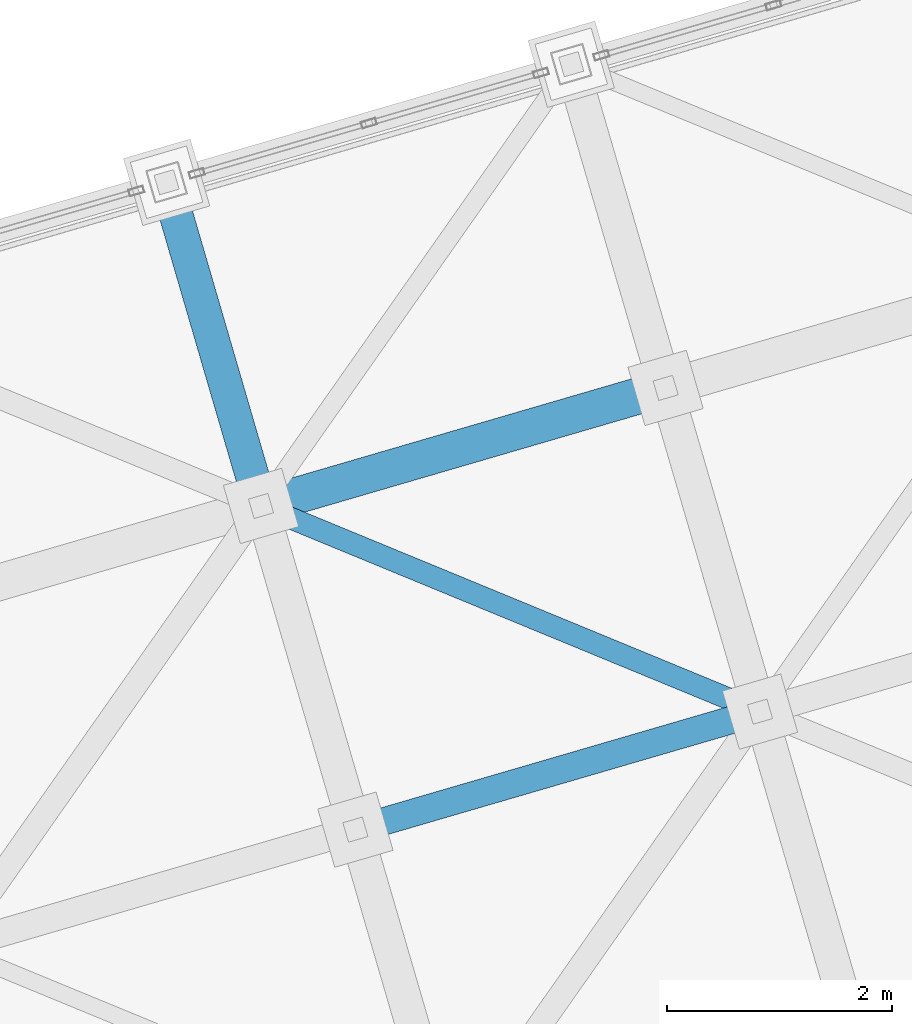
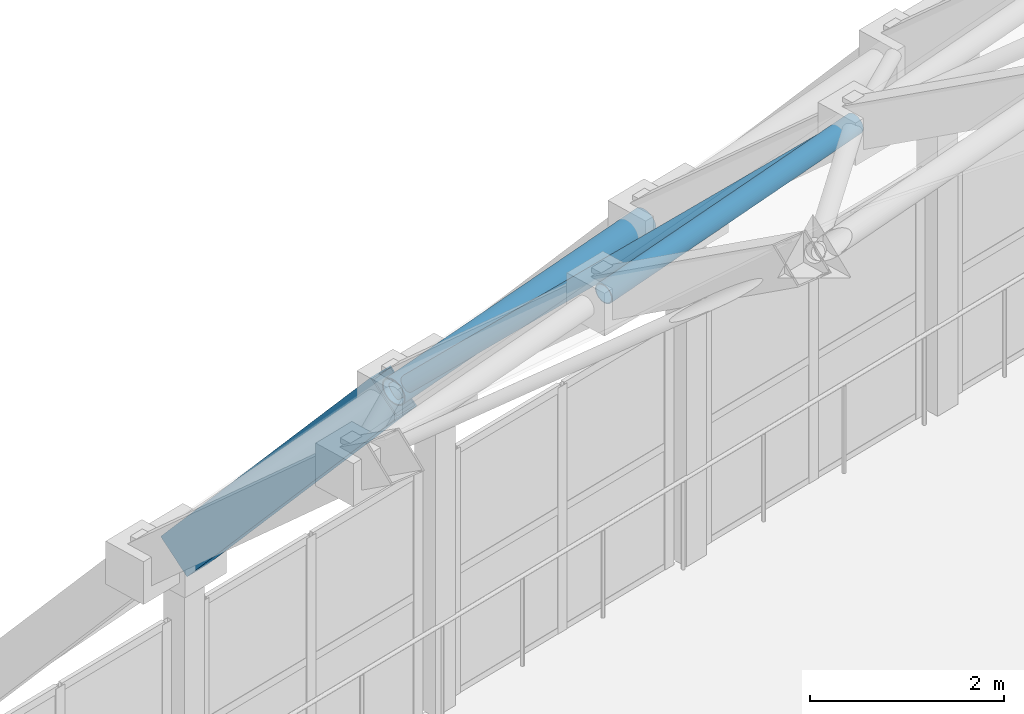
# One storey, part 52 of 248: 3 members, 1 beam.
"""IFC4 building model written with IfcOpenShell, lengths in metres."""

from ifc_helpers import new_model, si_unit, direction, frame, origin, origin_2d, place, context, subcontext, project, spatial, hollow_rectangle, hollow_circle, extrude, material, material_profile, profile_set, type_object, element, save


model = new_model("IFC4")

# Units and contexts
model_context = context("Model", 3, precision=1e-05, world=origin(), true_north=direction((0.0, 1.0)))
body_context = subcontext(model_context, "Body", "Model", "MODEL_VIEW")
ifc_project = project(units=[si_unit("LENGTHUNIT", "METRE"), si_unit("AREAUNIT", "SQUARE_METRE"), si_unit("VOLUMEUNIT", "CUBIC_METRE"), si_unit("PLANEANGLEUNIT", "RADIAN"), si_unit("MASSUNIT", "GRAM", prefix="KILO")], contexts=[model_context])

# Site, building, storey
site_placement = place(None, origin())
site = spatial("IfcSite", under=ifc_project, at=site_placement, CompositionType="ELEMENT")
building_placement = place(site_placement, origin())
building = spatial("IfcBuilding", under=site, at=building_placement, Name="Canggui Botanical Conservatory", CompositionType="ELEMENT")
storey_placement = place(building_placement, frame((0.0, 0.0, 5.39990234375)))
storey = spatial("IfcBuildingStorey", under=building, at=storey_placement, Name="L02", CompositionType="ELEMENT", Elevation=5.39990234375)

# Beam
ifc_material = material(Name="Steel Q355C", Category="steel")
ifc_material_profile_1 = material_profile(ifc_material, hollow_rectangle(XDim=0.300048828125, YDim=0.5, WallThickness=0.01611328125, at=origin_2d()), Name="RHS 300x500x16")
ifc_profile_set_1 = profile_set([ifc_material_profile_1], Name="Steel Q355C")
beam_type = type_object("IfcBeamType", Name="BM-GJ01", PredefinedType="BEAM", material=ifc_profile_set_1)
beam_placement = place(storey_placement, frame((16.0400390625, 68.969970703125, 7.30615234375), z_axis=(-0.183561899057, 0.629316978545, -0.755159036051), x_axis=(-0.959995442804, -0.2800156242, 0.0)))
element("IfcBeam", 1, at=beam_placement, inside=storey, type_object=beam_type, Name="Conservatory Stepped-Arch Rib GJ-02 Segment 10", PredefinedType="BEAM", context=body_context, shape_type="SweptSolid", body=[
    extrude(hollow_rectangle(XDim=0.300048828125, YDim=0.5, WallThickness=0.01611328125, at=origin_2d()), origin(), (0.0, 0.0, 1.0), 4.57666015625),
])

# Members
ifc_material_profile_2 = material_profile(ifc_material, hollow_circle(Radius=0.16259765625, WallThickness=0.011962890625, at=origin_2d()), Name="CHS 325x12")
ifc_profile_set_2 = profile_set([ifc_material_profile_2], Name="Steel Q355C")
member_type_1 = type_object("IfcMemberType", Name="MEM-GSC01", PredefinedType="CHORD", material=ifc_profile_set_2)
member_1_placement = place(storey_placement, frame((16.0400390625, 68.969970703125, 7.30615234375), z_axis=(0.957867059601, 0.279402253194, 0.066521252562), x_axis=(-0.280022500685, 0.959993437014, 0.0)))
element("IfcMember", 2, at=member_1_placement, inside=storey, type_object=member_type_1, Name="Conservatory Gridshell Longitudinal Chord 2-9", PredefinedType="CHORD", context=body_context, shape_type="SweptSolid", body=[
    extrude(hollow_circle(Radius=0.16259765625, WallThickness=0.011962890625, at=origin_2d()), origin(), (0.0, 0.0, 1.0), 3.75830078125),
])
ifc_material_profile_3 = material_profile(ifc_material, hollow_circle(Radius=0.12255859375, WallThickness=0.010009765625, at=origin_2d()), Name="CHS 245x10")
ifc_profile_set_3 = profile_set([ifc_material_profile_3], Name="Steel Q355C")
member_type_2 = type_object("IfcMemberType", Name="MEM-GSC04", PredefinedType="CHORD", material=ifc_profile_set_3)
member_2_placement = place(storey_placement, frame((16.8798828125, 66.090087890625, 9.994140625), z_axis=(0.957889800097, 0.279324979006, 0.066518320582), x_axis=(-0.279945000113, 0.960016039924, 0.0)))
element("IfcMember", 3, at=member_2_placement, inside=storey, type_object=member_type_2, Name="Conservatory Gridshell Longitudinal Chord 2-8", PredefinedType="CHORD", context=body_context, shape_type="SweptSolid", body=[
    extrude(hollow_circle(Radius=0.12255859375, WallThickness=0.010009765625, at=origin_2d()), origin(), (0.0, 0.0, 1.0), 3.75830078125),
])
ifc_material_profile_4 = material_profile(ifc_material, hollow_circle(Radius=0.096923828125, WallThickness=0.008056640625, at=origin_2d()), Name="CHS 194x8")
ifc_profile_set_4 = profile_set([ifc_material_profile_4], Name="Steel Q355C")
member_type_3 = type_object("IfcMemberType", Name="MEM-GSD02", PredefinedType="RAFTER", material=ifc_profile_set_4)
member_3_placement = place(storey_placement, frame((16.0400390625, 68.969970703125, 7.30615234375), z_axis=(0.788657490704, -0.325072943491, 0.521868703571), x_axis=(0.381082183428, 0.924541166998, 0.0)))
element("IfcMember", 4, at=member_3_placement, inside=storey, type_object=member_type_3, Name="Conservatory Gridshell Diagrid Rafter 2-9", PredefinedType="RAFTER", context=body_context, shape_type="SweptSolid", body=[
    extrude(hollow_circle(Radius=0.096923828125, WallThickness=0.008056640625, at=origin_2d()), origin(), (0.0, 0.0, 1.0), 5.629638671875),
])

save(model, "model.ifc")
